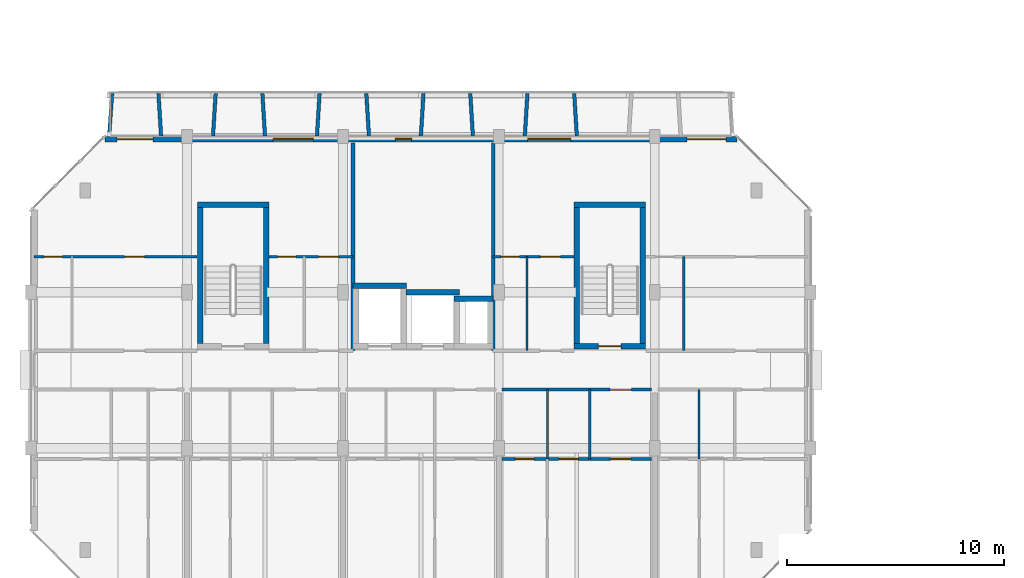
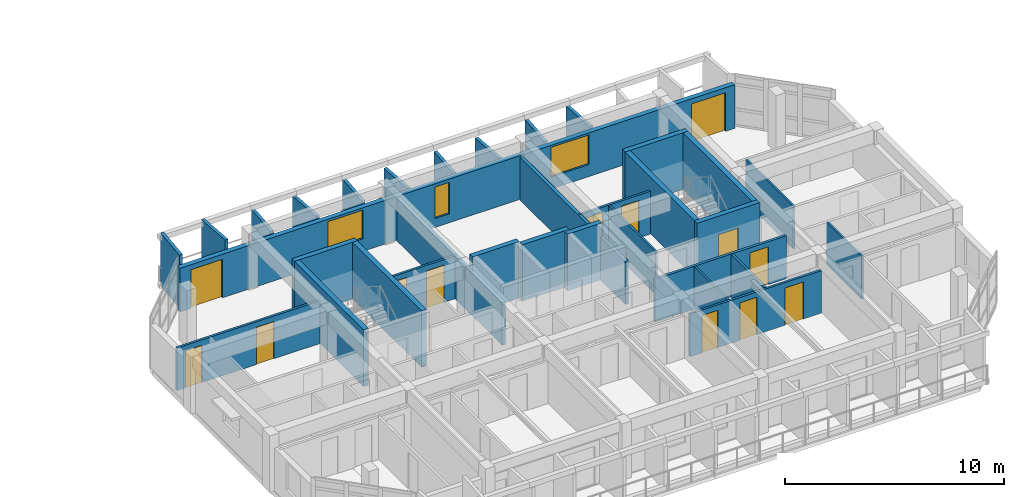
# One storey, part 24 of 51: 33 walls, 13 doors, 3 windows, 16 openings.
"""IFC4 building model written with IfcOpenShell, lengths in metres."""

from ifc_helpers import new_model, si_unit, direction, frame, frame_2d, origin, place, context, subcontext, project, spatial, rectangle, extrude, material, layer, layer_set, type_object, element, fill, save


model = new_model("IFC4")

# Units and contexts
model_context = context("Model", 3, precision=1e-05, world=origin(), true_north=direction((0.0, 1.0)))
body_context = subcontext(model_context, "Body", "Model", "MODEL_VIEW")
ifc_project = project(units=[si_unit("LENGTHUNIT", "METRE"), si_unit("AREAUNIT", "SQUARE_METRE"), si_unit("VOLUMEUNIT", "CUBIC_METRE"), si_unit("PLANEANGLEUNIT", "RADIAN"), si_unit("MASSUNIT", "GRAM", prefix="KILO")], contexts=[model_context])

# Site, building, storey
site_placement = place(None, origin())
site = spatial("IfcSite", under=ifc_project, at=site_placement, CompositionType="ELEMENT")
building_placement = place(site_placement, origin())
building = spatial("IfcBuilding", under=site, at=building_placement, Name="Ochrevale Crest", CompositionType="ELEMENT")
storey_placement = place(building_placement, frame((0.0, 0.0, 11.85009765625)))
storey = spatial("IfcBuildingStorey", under=building, at=storey_placement, Name="L03", CompositionType="ELEMENT", Elevation=11.85009765625)

# Wall, opening, door
ifc_material_1 = material(Name="Gypsum plasterboard", Category="gypsum")
ifc_layer_1 = layer(ifc_material_1, 0.139892578125)
ifc_layer_set_1 = layer_set([ifc_layer_1], Name="Gypsum plasterboard")
wall_type_1 = type_object("IfcWallType", Name="WL-COR-140", PredefinedType="PARTITIONING", material=ifc_layer_set_1)
wall_1_placement = place(storey_placement, frame((21.739990234375, 24.300048828125, 0.0), z_axis=(0.0, 0.0, 1.0), x_axis=(1.0, 0.0, 0.0)))
wall_1 = element("IfcWall", 1, at=wall_1_placement, inside=storey, type_object=wall_type_1, Name="Apartment A-L03-U4 corridor wall", PredefinedType="PARTITIONING", context=body_context, shape_type="SweptSolid", body=[
    extrude(rectangle(XDim=6.919921875, YDim=0.139892578125, at=frame_2d((3.4599609375, 0.0))), origin(), (0.0, 0.0, 1.0), 2.3798828125),
])
opening_1_placement = place(wall_1_placement, frame((4.9951171875, 0.0, 0.0)))
opening_1 = element("IfcOpeningElement", 2, at=opening_1_placement, cuts=wall_1, Name="Opening FD01", PredefinedType="OPENING", context=body_context, shape_type="SweptSolid", body=[
    extrude(rectangle(XDim=0.97998046875, YDim=2.10009765625, at=frame_2d((0.489990234375, 1.050048828125))), frame((0.0, 0.080078125, 0.0), z_axis=(0.0, -1.0, 0.0), x_axis=(1.0, 0.0, 0.0)), (0.0, 0.0, 1.0), 0.159912109375),
])
ifc_material_2 = material(Name="Solid-core FSC hardwood", Category="wood")
door_type_1 = type_object("IfcDoorType", Name="DR-APT-950", OperationType="NOTDEFINED", PredefinedType="DOOR", material=ifc_material_2)
door_1_placement = place(opening_1_placement, origin())
door_1 = element("IfcDoor", 3, at=door_1_placement, inside=storey, type_object=door_type_1, Name="Apartment A-L03-U4 entrance door", OperationType="SINGLE_SWING_LEFT", OverallHeight=2.10009765625, OverallWidth=0.97998046875, PredefinedType="DOOR", context=body_context, shape_type="SweptSolid", body=[
    extrude(rectangle(XDim=0.97998046875, YDim=2.10009765625, at=frame_2d((0.489990234375, 1.050048828125))), frame((0.0, 0.02490234375, 0.0), z_axis=(0.0, -1.0, 0.0), x_axis=(1.0, 0.0, 0.0)), (0.0, 0.0, 1.0), 0.050048828125),
])
fill(opening_1, door_1)

# Walls
ifc_material_3 = material(Name="Precast concrete C50/60", Category="concrete")
ifc_layer_2 = layer(ifc_material_3, 0.2548828125)
ifc_layer_set_2 = layer_set([ifc_layer_2], Name="Precast concrete C50/60")
wall_type_2 = type_object("IfcWallType", Name="WL-CORE-255", PredefinedType="SHEAR", material=ifc_layer_set_2)
wall_2_placement = place(storey_placement, frame((7.672607421875, 32.85009765625, 0.0), z_axis=(0.0, 0.0, 1.0), x_axis=(1.0, 0.0, 0.0)))
element("IfcWall", 4, at=wall_2_placement, inside=storey, type_object=wall_type_2, Name="Block A L03 Stair 1 precast core shear wall N", PredefinedType="SHEAR", context=body_context, shape_type="SweptSolid", body=[
    extrude(rectangle(XDim=3.304931640625, YDim=0.2548828125, at=frame_2d((1.65234375, 0.0))), origin(), (0.0, 0.0, 1.0), 3.14990234375),
])
for number, where, z_axis, x_axis, name in (
    (5, (7.800048828125, 26.427490234375, 0.0), (0.0, 0.0, 1.0), (0.0, 1.0, 0.0), "Block A L03 Stair 1 precast core shear wall W"),
    (6, (10.85009765625, 26.427490234375, 0.0), (0.0, 0.0, 1.0), (0.0, 1.0, 0.0), "Block A L03 Stair 1 precast core shear wall E"),
):
    element("IfcWall", number, at=place(storey_placement, frame(where, z_axis=z_axis, x_axis=x_axis)), inside=storey, type_object=wall_type_2, Name=name, PredefinedType="SHEAR", context=body_context, shape_type="SweptSolid", body=[
        extrude(rectangle(XDim=6.294921875, YDim=0.2548828125, at=frame_2d((3.1474609375, 0.0))), origin(), (0.0, 0.0, 1.0), 3.14990234375),
    ])

# Wall, opening, door
wall_3_placement = place(storey_placement, frame((25.072509765625, 26.300048828125, 0.0), z_axis=(0.0, 0.0, 1.0), x_axis=(1.0, 0.0, 0.0)))
wall_3 = element("IfcWall", 7, at=wall_3_placement, inside=storey, type_object=wall_type_2, Name="Block A L03 Stair 2 precast core shear wall S", PredefinedType="SHEAR", context=body_context, shape_type="SweptSolid", body=[
    extrude(rectangle(XDim=3.304931640625, YDim=0.2548828125, at=frame_2d((1.65234375, 0.0))), origin(), (0.0, 0.0, 1.0), 3.14990234375),
])
opening_2_placement = place(wall_3_placement, frame((1.12744140625, 0.0, 0.0)))
opening_2 = element("IfcOpeningElement", 8, at=opening_2_placement, cuts=wall_3, Name="Opening FD03", PredefinedType="OPENING", context=body_context, shape_type="SweptSolid", body=[
    extrude(rectangle(XDim=1.050048828125, YDim=2.1201171875, at=frame_2d((0.52490234375, 1.06005859375))), frame((0.0, 0.137451171875, 0.0), z_axis=(0.0, -1.0, 0.0), x_axis=(1.0, 0.0, 0.0)), (0.0, 0.0, 1.0), 0.27490234375),
])
door_type_2 = type_object("IfcDoorType", Name="DR-ST-1050", OperationType="NOTDEFINED", PredefinedType="DOOR", material=ifc_material_2)
door_2_placement = place(opening_2_placement, origin())
door_2 = element("IfcDoor", 9, at=door_2_placement, inside=storey, type_object=door_type_2, Name="Block A L03 fire stair 2 door", OperationType="SINGLE_SWING_LEFT", OverallHeight=2.1201171875, OverallWidth=1.050048828125, PredefinedType="DOOR", context=body_context, shape_type="SweptSolid", body=[
    extrude(rectangle(XDim=1.050048828125, YDim=2.1201171875, at=frame_2d((0.52490234375, 1.06005859375))), frame((0.0, 0.02490234375, 0.0), z_axis=(0.0, -1.0, 0.0), x_axis=(1.0, 0.0, 0.0)), (0.0, 0.0, 1.0), 0.050048828125),
])
fill(opening_2, door_2)

# Walls
wall_4_placement = place(storey_placement, frame((25.072509765625, 32.85009765625, 0.0), z_axis=(0.0, 0.0, 1.0), x_axis=(1.0, 0.0, 0.0)))
element("IfcWall", 10, at=wall_4_placement, inside=storey, type_object=wall_type_2, Name="Block A L03 Stair 2 precast core shear wall N", PredefinedType="SHEAR", context=body_context, shape_type="SweptSolid", body=[
    extrude(rectangle(XDim=3.304931640625, YDim=0.2548828125, at=frame_2d((1.65234375, 0.0))), origin(), (0.0, 0.0, 1.0), 3.14990234375),
])
for number, where, z_axis, x_axis, name in (
    (11, (25.199951171875, 26.427490234375, 0.0), (0.0, 0.0, 1.0), (0.0, 1.0, 0.0), "Block A L03 Stair 2 precast core shear wall W"),
    (12, (28.25, 26.427490234375, 0.0), (0.0, 0.0, 1.0), (0.0, 1.0, 0.0), "Block A L03 Stair 2 precast core shear wall E"),
):
    element("IfcWall", number, at=place(storey_placement, frame(where, z_axis=z_axis, x_axis=x_axis)), inside=storey, type_object=wall_type_2, Name=name, PredefinedType="SHEAR", context=body_context, shape_type="SweptSolid", body=[
        extrude(rectangle(XDim=6.294921875, YDim=0.2548828125, at=frame_2d((3.1474609375, 0.0))), origin(), (0.0, 0.0, 1.0), 3.14990234375),
    ])
wall_5_placement = place(storey_placement, frame((14.87255859375, 29.10009765625, 0.0), z_axis=(0.0, 0.0, 1.0), x_axis=(1.0, 0.0, 0.0)))
element("IfcWall", 13, at=wall_5_placement, inside=storey, type_object=wall_type_2, Name="Block A L03 Lift 1 precast shaft shear wall N", PredefinedType="SHEAR", context=body_context, shape_type="SweptSolid", body=[
    extrude(rectangle(XDim=2.454833984375, YDim=0.2548828125, at=frame_2d((1.2275390625, 0.0))), origin(), (0.0, 0.0, 1.0), 3.14990234375),
])
wall_6_placement = place(storey_placement, frame((17.322509765625, 28.800048828125, 0.0), z_axis=(0.0, 0.0, 1.0), x_axis=(1.0, 0.0, 0.0)))
element("IfcWall", 14, at=wall_6_placement, inside=storey, type_object=wall_type_2, Name="Block A L03 Lift 2 precast shaft shear wall N", PredefinedType="SHEAR", context=body_context, shape_type="SweptSolid", body=[
    extrude(rectangle(XDim=2.455078125, YDim=0.2548828125, at=frame_2d((1.2275390625, 0.0))), origin(), (0.0, 0.0, 1.0), 3.14990234375),
])
wall_7_placement = place(storey_placement, frame((19.5224609375, 28.5, 0.0), z_axis=(0.0, 0.0, 1.0), x_axis=(1.0, 0.0, 0.0)))
element("IfcWall", 15, at=wall_7_placement, inside=storey, type_object=wall_type_2, Name="Block A L03 services riser shaft core wall N", PredefinedType="SHEAR", context=body_context, shape_type="SweptSolid", body=[
    extrude(rectangle(XDim=1.804931640625, YDim=0.2548828125, at=frame_2d((0.90234375, 0.0))), origin(), (0.0, 0.0, 1.0), 3.14990234375),
])

# Wall, openings, doors, windows
ifc_material_4 = material(Name="Precast concrete C40/50", Category="concrete")
ifc_layer_3 = layer(ifc_material_4, 0.25)
ifc_layer_set_3 = layer_set([ifc_layer_3], Name="Precast concrete C40/50")
wall_type_3 = type_object("IfcWallType", Name="WL-EXT-GOLD-250", PredefinedType="SOLIDWALL", material=ifc_layer_set_3)
wall_8_placement = place(storey_placement, frame((32.60009765625, 35.875, 0.0), z_axis=(0.0, 0.0, 1.0), x_axis=(-1.0, 0.0, 0.0)))
wall_8 = element("IfcWall", 16, at=wall_8_placement, inside=storey, type_object=wall_type_3, Name="Block A L03 external facade wall E5", PredefinedType="SOLIDWALL", context=body_context, shape_type="SweptSolid", body=[
    extrude(rectangle(XDim=29.2001953125, YDim=0.25, at=frame_2d((14.60009765625, 0.0))), origin(), (0.0, 0.0, 1.0), 2.429931640625),
])
opening_3_placement = place(wall_8_placement, frame((28.625, 0.0, 0.0), z_axis=(0.0, 0.0, 1.0), x_axis=(-1.0, 0.0, 0.0)))
opening_3 = element("IfcOpeningElement", 17, at=opening_3_placement, cuts=wall_8, Name="Opening BD02", PredefinedType="OPENING", context=body_context, shape_type="SweptSolid", body=[
    extrude(rectangle(XDim=1.64990234375, YDim=2.14990234375, at=frame_2d((0.824951171875, 1.074951171875))), frame((0.0, 0.135009765625, 0.0), z_axis=(0.0, -1.0, 0.0), x_axis=(1.0, 0.0, 0.0)), (0.0, 0.0, 1.0), 0.27001953125),
])
opening_4_placement = place(wall_8_placement, frame((2.300048828125, 0.0, 0.0), z_axis=(0.0, 0.0, 1.0), x_axis=(-1.0, 0.0, 0.0)))
opening_4 = element("IfcOpeningElement", 18, at=opening_4_placement, cuts=wall_8, Name="Opening BD03", PredefinedType="OPENING", context=body_context, shape_type="SweptSolid", body=[
    extrude(rectangle(XDim=1.800048828125, YDim=2.14990234375, at=frame_2d((0.89990234375, 1.074951171875))), frame((0.0, 0.135009765625, 0.0), z_axis=(0.0, -1.0, 0.0), x_axis=(1.0, 0.0, 0.0)), (0.0, 0.0, 1.0), 0.27001953125),
])
opening_5_placement = place(wall_8_placement, frame((15.030029296875, 0.0, 0.5)))
opening_5 = element("IfcOpeningElement", 19, at=opening_5_placement, cuts=wall_8, Name="Opening W16", PredefinedType="OPENING", context=body_context, shape_type="SweptSolid", body=[
    extrude(rectangle(XDim=0.75, YDim=1.75, at=frame_2d((0.375, 0.875))), frame((0.0, 0.135009765625, 0.0), z_axis=(0.0, -1.0, 0.0), x_axis=(1.0, 0.0, 0.0)), (0.0, 0.0, 1.0), 0.27001953125),
])
opening_6_placement = place(wall_8_placement, frame((7.675048828125, 0.0, 0.669921875)))
opening_6 = element("IfcOpeningElement", 20, at=opening_6_placement, cuts=wall_8, Name="Opening W12", PredefinedType="OPENING", context=body_context, shape_type="SweptSolid", body=[
    extrude(rectangle(XDim=2.0, YDim=1.64990234375, at=frame_2d((1.0, 0.824951171875))), frame((0.0, 0.135009765625, 0.0), z_axis=(0.0, -1.0, 0.0), x_axis=(1.0, 0.0, 0.0)), (0.0, 0.0, 1.0), 0.27001953125),
])
opening_7_placement = place(wall_8_placement, frame((19.570068359375, 0.0, 0.699951171875)))
opening_7 = element("IfcOpeningElement", 21, at=opening_7_placement, cuts=wall_8, Name="Opening W11", PredefinedType="OPENING", context=body_context, shape_type="SweptSolid", body=[
    extrude(rectangle(XDim=1.860107421875, YDim=1.60009765625, at=frame_2d((0.93017578125, 0.800048828125))), frame((0.0, 0.135009765625, 0.0), z_axis=(0.0, -1.0, 0.0), x_axis=(1.0, 0.0, 0.0)), (0.0, 0.0, 1.0), 0.27001953125),
])
ifc_material_5 = material(Name="Anodised aluminium 6063-T5 and toughened glass", Category="aluminium")
door_type_3 = type_object("IfcDoorType", Name="DR-BAL-1650", OperationType="NOTDEFINED", PredefinedType="DOOR", material=ifc_material_5)
door_3_placement = place(opening_3_placement, origin())
door_3 = element("IfcDoor", 22, at=door_3_placement, inside=storey, type_object=door_type_3, Name="Block A L03 balcony door N1", OperationType="SINGLE_SWING_LEFT", OverallHeight=2.14990234375, OverallWidth=1.64990234375, PredefinedType="DOOR", context=body_context, shape_type="SweptSolid", body=[
    extrude(rectangle(XDim=1.64990234375, YDim=2.14990234375, at=frame_2d((0.824951171875, 1.074951171875))), frame((0.0, 0.02490234375, 0.0), z_axis=(0.0, -1.0, 0.0), x_axis=(1.0, 0.0, 0.0)), (0.0, 0.0, 1.0), 0.050048828125),
])
fill(opening_3, door_3)
door_type_4 = type_object("IfcDoorType", Name="DR-BAL-1800", OperationType="NOTDEFINED", PredefinedType="DOOR", material=ifc_material_5)
door_4_placement = place(opening_4_placement, origin())
door_4 = element("IfcDoor", 23, at=door_4_placement, inside=storey, type_object=door_type_4, Name="Block A L03 balcony door N5", OperationType="SINGLE_SWING_RIGHT", OverallHeight=2.14990234375, OverallWidth=1.800048828125, PredefinedType="DOOR", context=body_context, shape_type="SweptSolid", body=[
    extrude(rectangle(XDim=1.800048828125, YDim=2.14990234375, at=frame_2d((0.89990234375, 1.074951171875))), frame((0.0, 0.02490234375, 0.0), z_axis=(0.0, -1.0, 0.0), x_axis=(1.0, 0.0, 0.0)), (0.0, 0.0, 1.0), 0.050048828125),
])
fill(opening_4, door_4)
ifc_material_6 = material(Name="Anodised aluminium 6063-T5 and low-E double glazing", Category="aluminium")
window_type_1 = type_object("IfcWindowType", Name="WIN-W11", PartitioningType="SINGLE_PANEL", PredefinedType="WINDOW", material=ifc_material_6)
window_1_placement = place(opening_7_placement, origin())
window_1 = element("IfcWindow", 24, at=window_1_placement, inside=storey, type_object=window_type_1, Name="Block A L03 Suite A-L03-MW Courtyard Studio Living window", OverallHeight=1.60009765625, OverallWidth=1.860107421875, PartitioningType="SINGLE_PANEL", PredefinedType="WINDOW", context=body_context, shape_type="SweptSolid", body=[
    extrude(rectangle(XDim=1.860107421875, YDim=1.60009765625, at=frame_2d((0.93017578125, 0.800048828125))), frame((0.0, 0.030029296875, 0.0), z_axis=(0.0, -1.0, 0.0), x_axis=(1.0, 0.0, 0.0)), (0.0, 0.0, 1.0), 0.06005859375),
])
fill(opening_7, window_1)
window_type_2 = type_object("IfcWindowType", Name="WIN-W12", PartitioningType="SINGLE_PANEL", PredefinedType="WINDOW", material=ifc_material_6)
window_2_placement = place(opening_6_placement, origin())
window_2 = element("IfcWindow", 25, at=window_2_placement, inside=storey, type_object=window_type_2, Name="Block A L03 Suite A-L03-ME Garden Alcove Studio window", OverallHeight=1.64990234375, OverallWidth=2.0, PartitioningType="SINGLE_PANEL", PredefinedType="WINDOW", context=body_context, shape_type="SweptSolid", body=[
    extrude(rectangle(XDim=2.0, YDim=1.64990234375, at=frame_2d((1.0, 0.824951171875))), frame((0.0, 0.030029296875, 0.0), z_axis=(0.0, -1.0, 0.0), x_axis=(1.0, 0.0, 0.0)), (0.0, 0.0, 1.0), 0.06005859375),
])
fill(opening_6, window_2)
window_type_3 = type_object("IfcWindowType", Name="WIN-W16", PartitioningType="SINGLE_PANEL", PredefinedType="WINDOW", material=ifc_material_6)
window_3_placement = place(opening_5_placement, origin())
window_3 = element("IfcWindow", 26, at=window_3_placement, inside=storey, type_object=window_type_3, Name="Block A L03 core lancet window", OverallHeight=1.75, OverallWidth=0.75, PartitioningType="SINGLE_PANEL", PredefinedType="WINDOW", context=body_context, shape_type="SweptSolid", body=[
    extrude(rectangle(XDim=0.75, YDim=1.75, at=frame_2d((0.375, 0.875))), frame((0.0, 0.030029296875, 0.0), z_axis=(0.0, -1.0, 0.0), x_axis=(1.0, 0.0, 0.0)), (0.0, 0.0, 1.0), 0.06005859375),
])
fill(opening_5, window_3)

# Walls
ifc_layer_4 = layer(ifc_material_4, 0.1650390625)
ifc_layer_set_4 = layer_set([ifc_layer_4], Name="Precast concrete C40/50")
wall_type_4 = type_object("IfcWallType", Name="WL-HC-CHEEK-165", PredefinedType="ELEMENTEDWALL", material=ifc_layer_set_4)
wall_9_placement = place(storey_placement, frame((3.60009765625, 36.02001953125, 0.0), z_axis=(0.0, 0.0, 1.0), x_axis=(0.071194071069, 0.997462482625, 0.0)))
element("IfcWall", 27, at=wall_9_placement, inside=storey, type_object=wall_type_4, Name="Block A L03 N precast honeycomb cheek 1", PredefinedType="ELEMENTEDWALL", context=body_context, shape_type="SweptSolid", body=[
    extrude(rectangle(XDim=1.96484375, YDim=0.1650390625, at=frame_2d((0.982421875, 0.0))), origin(), (0.0, 0.0, 1.0), 2.949951171875),
])
wall_10_placement = place(storey_placement, frame((6.0, 36.02001953125, 0.0), z_axis=(0.0, 0.0, 1.0), x_axis=(-0.061170732449, 0.998127317276, 0.0)))
element("IfcWall", 28, at=wall_10_placement, inside=storey, type_object=wall_type_4, Name="Block A L03 N precast honeycomb cheek 2", PredefinedType="ELEMENTEDWALL", context=body_context, shape_type="SweptSolid", body=[
    extrude(rectangle(XDim=1.963623046875, YDim=0.1650390625, at=frame_2d((0.98193359375, 0.0))), origin(), (0.0, 0.0, 1.0), 2.949951171875),
])
for number, where, z_axis, x_axis, name in (
    (29, (8.39990234375, 36.02001953125, 0.0), (0.0, 0.0, 1.0), (0.061170732449, 0.998127317276, 0.0), "Block A L03 N precast honeycomb cheek 3"),
    (30, (10.800048828125, 36.02001953125, 0.0), (0.0, 0.0, 1.0), (-0.061170732449, 0.998127317276, 0.0), "Block A L03 N precast honeycomb cheek 4"),
    (31, (13.199951171875, 36.02001953125, 0.0), (0.0, 0.0, 1.0), (0.061170732449, 0.998127317276, 0.0), "Block A L03 N precast honeycomb cheek 5"),
):
    element("IfcWall", number, at=place(storey_placement, frame(where, z_axis=z_axis, x_axis=x_axis)), inside=storey, type_object=wall_type_4, Name=name, PredefinedType="ELEMENTEDWALL", context=body_context, shape_type="SweptSolid", body=[
        extrude(rectangle(XDim=1.963623046875, YDim=0.1650390625, at=frame_2d((0.98193359375, 0.0))), origin(), (0.0, 0.0, 1.0), 2.579833984375),
    ])
for number, where, z_axis, x_axis, name in (
    (32, (15.60009765625, 36.02001953125, 0.0), (0.0, 0.0, 1.0), (-0.061170732449, 0.998127317276, 0.0), "Block A L03 N precast honeycomb cheek 6"),
    (33, (18.0, 36.02001953125, 0.0), (0.0, 0.0, 1.0), (0.061170732449, 0.998127317276, 0.0), "Block A L03 N precast honeycomb cheek 7"),
    (34, (20.39990234375, 36.02001953125, 0.0), (0.0, 0.0, 1.0), (-0.061046865508, 0.998134900808, 0.0), "Block A L03 N precast honeycomb cheek 8"),
):
    element("IfcWall", number, at=place(storey_placement, frame(where, z_axis=z_axis, x_axis=x_axis)), inside=storey, type_object=wall_type_4, Name=name, PredefinedType="ELEMENTEDWALL", context=body_context, shape_type="SweptSolid", body=[
        extrude(rectangle(XDim=1.963623046875, YDim=0.1650390625, at=frame_2d((0.98193359375, 0.0))), origin(), (0.0, 0.0, 1.0), 2.449951171875),
    ])
for number, where, z_axis, x_axis, name in (
    (35, (22.800048828125, 36.02001953125, 0.0), (0.0, 0.0, 1.0), (0.061046865508, 0.998134900808, 0.0), "Block A L03 N precast honeycomb cheek 9"),
    (36, (25.199951171875, 36.02001953125, 0.0), (0.0, 0.0, 1.0), (-0.061046865508, 0.998134900808, 0.0), "Block A L03 N precast honeycomb cheek 10"),
):
    element("IfcWall", number, at=place(storey_placement, frame(where, z_axis=z_axis, x_axis=x_axis)), inside=storey, type_object=wall_type_4, Name=name, PredefinedType="ELEMENTEDWALL", context=body_context, shape_type="SweptSolid", body=[
        extrude(rectangle(XDim=1.963623046875, YDim=0.1650390625, at=frame_2d((0.98193359375, 0.0))), origin(), (0.0, 0.0, 1.0), 2.52978515625),
    ])
ifc_layer_5 = layer(ifc_material_1, 0.1201171875)
ifc_layer_set_5 = layer_set([ifc_layer_5], Name="Gypsum plasterboard")
wall_type_5 = type_object("IfcWallType", Name="WL-PART-120", PredefinedType="PARTITIONING", material=ifc_layer_set_5)
wall_11_placement = place(storey_placement, frame((25.7900390625, 21.10009765625, 0.0), z_axis=(0.0, 0.0, 1.0), x_axis=(0.0, 1.0, 0.0)))
element("IfcWall", 37, at=wall_11_placement, inside=storey, type_object=wall_type_5, Name="Apartment A-L03-U4 kitchen-foyer wall", PredefinedType="PARTITIONING", context=body_context, shape_type="SweptSolid", body=[
    extrude(rectangle(XDim=3.199951171875, YDim=0.1201171875, at=frame_2d((1.60009765625, 0.0))), origin(), (0.0, 0.0, 1.0), 2.375),
])

# Wall, openings, doors
wall_12_placement = place(storey_placement, frame((21.739990234375, 21.10009765625, 0.0), z_axis=(0.0, 0.0, 1.0), x_axis=(1.0, 0.0, 0.0)))
wall_12 = element("IfcWall", 38, at=wall_12_placement, inside=storey, type_object=wall_type_5, Name="Apartment A-L03-U4 central partition", PredefinedType="PARTITIONING", context=body_context, shape_type="SweptSolid", body=[
    extrude(rectangle(XDim=6.919921875, YDim=0.1201171875, at=frame_2d((3.4599609375, 0.0))), origin(), (0.0, 0.0, 1.0), 2.3798828125),
])
opening_8_placement = place(wall_12_placement, frame((1.47509765625, 0.0, 0.0), z_axis=(0.0, 0.0, 1.0), x_axis=(-1.0, 0.0, 0.0)))
opening_8 = element("IfcOpeningElement", 39, at=opening_8_placement, cuts=wall_12, Name="Opening ID01", PredefinedType="OPENING", context=body_context, shape_type="SweptSolid", body=[
    extrude(rectangle(XDim=0.85009765625, YDim=2.080078125, at=frame_2d((0.425048828125, 1.0400390625))), frame((0.0, 0.070068359375, 0.0), z_axis=(0.0, -1.0, 0.0), x_axis=(1.0, 0.0, 0.0)), (0.0, 0.0, 1.0), 0.14013671875),
])
opening_9_placement = place(wall_12_placement, frame((2.625, 0.0, 0.0)))
opening_9 = element("IfcOpeningElement", 40, at=opening_9_placement, cuts=wall_12, Name="Opening ID02", PredefinedType="OPENING", context=body_context, shape_type="SweptSolid", body=[
    extrude(rectangle(XDim=0.89990234375, YDim=2.080078125, at=frame_2d((0.449951171875, 1.0400390625))), frame((0.0, 0.070068359375, 0.0), z_axis=(0.0, -1.0, 0.0), x_axis=(1.0, 0.0, 0.0)), (0.0, 0.0, 1.0), 0.14013671875),
])
opening_10_placement = place(wall_12_placement, frame((5.9599609375, 0.0, 0.0), z_axis=(0.0, 0.0, 1.0), x_axis=(-1.0, 0.0, 0.0)))
opening_10 = element("IfcOpeningElement", 41, at=opening_10_placement, cuts=wall_12, Name="Opening ID06", PredefinedType="OPENING", context=body_context, shape_type="SweptSolid", body=[
    extrude(rectangle(XDim=0.949951171875, YDim=2.080078125, at=frame_2d((0.47509765625, 1.0400390625))), frame((0.0, 0.070068359375, 0.0), z_axis=(0.0, -1.0, 0.0), x_axis=(1.0, 0.0, 0.0)), (0.0, 0.0, 1.0), 0.14013671875),
])
door_type_5 = type_object("IfcDoorType", Name="DR-INT-900", OperationType="NOTDEFINED", PredefinedType="DOOR", material=ifc_material_2)
door_5_placement = place(opening_9_placement, origin())
door_5 = element("IfcDoor", 42, at=door_5_placement, inside=storey, type_object=door_type_5, Name="Apartment A-L03-U4 Kitchen door", OperationType="SINGLE_SWING_LEFT", OverallHeight=2.080078125, OverallWidth=0.89990234375, PredefinedType="DOOR", context=body_context, shape_type="SweptSolid", body=[
    extrude(rectangle(XDim=0.89990234375, YDim=2.080078125, at=frame_2d((0.449951171875, 1.0400390625))), frame((0.0, 0.02490234375, 0.0), z_axis=(0.0, -1.0, 0.0), x_axis=(1.0, 0.0, 0.0)), (0.0, 0.0, 1.0), 0.050048828125),
])
fill(opening_9, door_5)
door_type_6 = type_object("IfcDoorType", Name="DR-INT-950", OperationType="NOTDEFINED", PredefinedType="DOOR", material=ifc_material_2)
door_6_placement = place(opening_10_placement, origin())
door_6 = element("IfcDoor", 43, at=door_6_placement, inside=storey, type_object=door_type_6, Name="Apartment A-L03-U4 Living Foyer door", OperationType="SINGLE_SWING_RIGHT", OverallHeight=2.080078125, OverallWidth=0.949951171875, PredefinedType="DOOR", context=body_context, shape_type="SweptSolid", body=[
    extrude(rectangle(XDim=0.949951171875, YDim=2.080078125, at=frame_2d((0.47509765625, 1.0400390625))), frame((0.0, 0.02490234375, 0.0), z_axis=(0.0, -1.0, 0.0), x_axis=(1.0, 0.0, 0.0)), (0.0, 0.0, 1.0), 0.050048828125),
])
fill(opening_10, door_6)
door_type_7 = type_object("IfcDoorType", Name="DR-WC-850", OperationType="NOTDEFINED", PredefinedType="DOOR", material=ifc_material_2)
door_7_placement = place(opening_8_placement, origin())
door_7 = element("IfcDoor", 44, at=door_7_placement, inside=storey, type_object=door_type_7, Name="Apartment A-L03-U4 Bathroom door", OperationType="SINGLE_SWING_RIGHT", OverallHeight=2.080078125, OverallWidth=0.85009765625, PredefinedType="DOOR", context=body_context, shape_type="SweptSolid", body=[
    extrude(rectangle(XDim=0.85009765625, YDim=2.080078125, at=frame_2d((0.425048828125, 1.0400390625))), frame((0.0, 0.02490234375, 0.0), z_axis=(0.0, -1.0, 0.0), x_axis=(1.0, 0.0, 0.0)), (0.0, 0.0, 1.0), 0.050048828125),
])
fill(opening_8, door_7)

wall_13_placement = place(storey_placement, frame((0.139892578125, 30.449951171875, 0.0), z_axis=(0.0, 0.0, 1.0), x_axis=(1.0, 0.0, 0.0)))
wall_13 = element("IfcWall", 45, at=wall_13_placement, inside=storey, type_object=wall_type_5, Name="Suite A-L03-CW internal wall", PredefinedType="PARTITIONING", context=body_context, shape_type="SweptSolid", body=[
    extrude(rectangle(XDim=7.52001953125, YDim=0.1201171875, at=frame_2d((3.760009765625, 0.0))), origin(), (0.0, 0.0, 1.0), 2.3798828125),
])
opening_11_placement = place(wall_13_placement, frame((1.300048828125, 0.0, 0.0), z_axis=(0.0, 0.0, 1.0), x_axis=(-1.0, 0.0, 0.0)))
opening_11 = element("IfcOpeningElement", 46, at=opening_11_placement, cuts=wall_13, Name="Opening ID01", PredefinedType="OPENING", context=body_context, shape_type="SweptSolid", body=[
    extrude(rectangle(XDim=0.85009765625, YDim=2.080078125, at=frame_2d((0.425048828125, 1.0400390625))), frame((0.0, 0.070068359375, 0.0), z_axis=(0.0, -1.0, 0.0), x_axis=(1.0, 0.0, 0.0)), (0.0, 0.0, 1.0), 0.14013671875),
])
opening_12_placement = place(wall_13_placement, frame((4.175048828125, 0.0, 0.0)))
opening_12 = element("IfcOpeningElement", 47, at=opening_12_placement, cuts=wall_13, Name="Opening ID04", PredefinedType="OPENING", context=body_context, shape_type="SweptSolid", body=[
    extrude(rectangle(XDim=0.919921875, YDim=2.080078125, at=frame_2d((0.4599609375, 1.0400390625))), frame((0.0, 0.070068359375, 0.0), z_axis=(0.0, -1.0, 0.0), x_axis=(1.0, 0.0, 0.0)), (0.0, 0.0, 1.0), 0.14013671875),
])
door_type_8 = type_object("IfcDoorType", Name="DR-INT-920", OperationType="NOTDEFINED", PredefinedType="DOOR", material=ifc_material_2)
door_8_placement = place(opening_12_placement, origin())
door_8 = element("IfcDoor", 48, at=door_8_placement, inside=storey, type_object=door_type_8, Name="Suite A-L03-CW Quiet Reading Room door", OperationType="SINGLE_SWING_LEFT", OverallHeight=2.080078125, OverallWidth=0.919921875, PredefinedType="DOOR", context=body_context, shape_type="SweptSolid", body=[
    extrude(rectangle(XDim=0.919921875, YDim=2.080078125, at=frame_2d((0.4599609375, 1.0400390625))), frame((0.0, 0.02490234375, 0.0), z_axis=(0.0, -1.0, 0.0), x_axis=(1.0, 0.0, 0.0)), (0.0, 0.0, 1.0), 0.050048828125),
])
fill(opening_12, door_8)
door_9_placement = place(opening_11_placement, origin())
door_9 = element("IfcDoor", 49, at=door_9_placement, inside=storey, type_object=door_type_7, Name="Suite A-L03-CW Bathroom door", OperationType="SINGLE_SWING_RIGHT", OverallHeight=2.080078125, OverallWidth=0.85009765625, PredefinedType="DOOR", context=body_context, shape_type="SweptSolid", body=[
    extrude(rectangle(XDim=0.85009765625, YDim=2.080078125, at=frame_2d((0.425048828125, 1.0400390625))), frame((0.0, 0.02490234375, 0.0), z_axis=(0.0, -1.0, 0.0), x_axis=(1.0, 0.0, 0.0)), (0.0, 0.0, 1.0), 0.050048828125),
])
fill(opening_11, door_9)

wall_14_placement = place(storey_placement, frame((10.989990234375, 30.449951171875, 0.0), z_axis=(0.0, 0.0, 1.0), x_axis=(1.0, 0.0, 0.0)))
wall_14 = element("IfcWall", 50, at=wall_14_placement, inside=storey, type_object=wall_type_5, Name="Suite A-L03-MW internal wall", PredefinedType="PARTITIONING", context=body_context, shape_type="SweptSolid", body=[
    extrude(rectangle(XDim=3.8701171875, YDim=0.1201171875, at=frame_2d((1.93505859375, 0.0))), origin(), (0.0, 0.0, 1.0), 2.3798828125),
])
opening_13_placement = place(wall_14_placement, frame((0.3876953125, 0.0, 0.0)))
opening_13 = element("IfcOpeningElement", 51, at=opening_13_placement, cuts=wall_14, Name="Opening ID01", PredefinedType="OPENING", context=body_context, shape_type="SweptSolid", body=[
    extrude(rectangle(XDim=0.85009765625, YDim=2.080078125, at=frame_2d((0.425048828125, 1.0400390625))), frame((0.0, 0.070068359375, 0.0), z_axis=(0.0, -1.0, 0.0), x_axis=(1.0, 0.0, 0.0)), (0.0, 0.0, 1.0), 0.14013671875),
])
opening_14_placement = place(wall_14_placement, frame((3.20751953125, 0.0, 0.0), z_axis=(0.0, 0.0, 1.0), x_axis=(-1.0, 0.0, 0.0)))
opening_14 = element("IfcOpeningElement", 52, at=opening_14_placement, cuts=wall_14, Name="Opening ID04", PredefinedType="OPENING", context=body_context, shape_type="SweptSolid", body=[
    extrude(rectangle(XDim=0.919921875, YDim=2.080078125, at=frame_2d((0.4599609375, 1.0400390625))), frame((0.0, 0.070068359375, 0.0), z_axis=(0.0, -1.0, 0.0), x_axis=(1.0, 0.0, 0.0)), (0.0, 0.0, 1.0), 0.14013671875),
])
door_10_placement = place(opening_14_placement, origin())
door_10 = element("IfcDoor", 53, at=door_10_placement, inside=storey, type_object=door_type_8, Name="Suite A-L03-MW Courtyard Studio Living door", OperationType="SINGLE_SWING_RIGHT", OverallHeight=2.080078125, OverallWidth=0.919921875, PredefinedType="DOOR", context=body_context, shape_type="SweptSolid", body=[
    extrude(rectangle(XDim=0.919921875, YDim=2.080078125, at=frame_2d((0.4599609375, 1.0400390625))), frame((0.0, 0.02490234375, 0.0), z_axis=(0.0, -1.0, 0.0), x_axis=(1.0, 0.0, 0.0)), (0.0, 0.0, 1.0), 0.050048828125),
])
fill(opening_14, door_10)
door_11_placement = place(opening_13_placement, origin())
door_11 = element("IfcDoor", 54, at=door_11_placement, inside=storey, type_object=door_type_7, Name="Suite A-L03-MW Bathroom door", OperationType="SINGLE_SWING_LEFT", OverallHeight=2.080078125, OverallWidth=0.85009765625, PredefinedType="DOOR", context=body_context, shape_type="SweptSolid", body=[
    extrude(rectangle(XDim=0.85009765625, YDim=2.080078125, at=frame_2d((0.425048828125, 1.0400390625))), frame((0.0, 0.02490234375, 0.0), z_axis=(0.0, -1.0, 0.0), x_axis=(1.0, 0.0, 0.0)), (0.0, 0.0, 1.0), 0.050048828125),
])
fill(opening_13, door_11)

wall_15_placement = place(storey_placement, frame((21.340087890625, 30.449951171875, 0.0), z_axis=(0.0, 0.0, 1.0), x_axis=(1.0, 0.0, 0.0)))
wall_15 = element("IfcWall", 55, at=wall_15_placement, inside=storey, type_object=wall_type_5, Name="Suite A-L03-ME internal wall", PredefinedType="PARTITIONING", context=body_context, shape_type="SweptSolid", body=[
    extrude(rectangle(XDim=3.719970703125, YDim=0.1201171875, at=frame_2d((1.85986328125, 0.0))), origin(), (0.0, 0.0, 1.0), 2.3798828125),
])
opening_15_placement = place(wall_15_placement, frame((1.206298828125, 0.0, 0.0), z_axis=(0.0, 0.0, 1.0), x_axis=(-1.0, 0.0, 0.0)))
opening_15 = element("IfcOpeningElement", 56, at=opening_15_placement, cuts=wall_15, Name="Opening ID01", PredefinedType="OPENING", context=body_context, shape_type="SweptSolid", body=[
    extrude(rectangle(XDim=0.85009765625, YDim=2.080078125, at=frame_2d((0.425048828125, 1.0400390625))), frame((0.0, 0.070068359375, 0.0), z_axis=(0.0, -1.0, 0.0), x_axis=(1.0, 0.0, 0.0)), (0.0, 0.0, 1.0), 0.14013671875),
])
opening_16_placement = place(wall_15_placement, frame((2.18115234375, 0.0, 0.0)))
opening_16 = element("IfcOpeningElement", 57, at=opening_16_placement, cuts=wall_15, Name="Opening ID04", PredefinedType="OPENING", context=body_context, shape_type="SweptSolid", body=[
    extrude(rectangle(XDim=0.919921875, YDim=2.080078125, at=frame_2d((0.4599609375, 1.0400390625))), frame((0.0, 0.070068359375, 0.0), z_axis=(0.0, -1.0, 0.0), x_axis=(1.0, 0.0, 0.0)), (0.0, 0.0, 1.0), 0.14013671875),
])
door_12_placement = place(opening_16_placement, origin())
door_12 = element("IfcDoor", 58, at=door_12_placement, inside=storey, type_object=door_type_8, Name="Suite A-L03-ME Garden Alcove Studio door", OperationType="SINGLE_SWING_LEFT", OverallHeight=2.080078125, OverallWidth=0.919921875, PredefinedType="DOOR", context=body_context, shape_type="SweptSolid", body=[
    extrude(rectangle(XDim=0.919921875, YDim=2.080078125, at=frame_2d((0.4599609375, 1.0400390625))), frame((0.0, 0.02490234375, 0.0), z_axis=(0.0, -1.0, 0.0), x_axis=(1.0, 0.0, 0.0)), (0.0, 0.0, 1.0), 0.050048828125),
])
fill(opening_16, door_12)
door_13_placement = place(opening_15_placement, origin())
door_13 = element("IfcDoor", 59, at=door_13_placement, inside=storey, type_object=door_type_7, Name="Suite A-L03-ME Bathroom door", OperationType="SINGLE_SWING_RIGHT", OverallHeight=2.080078125, OverallWidth=0.85009765625, PredefinedType="DOOR", context=body_context, shape_type="SweptSolid", body=[
    extrude(rectangle(XDim=0.85009765625, YDim=2.080078125, at=frame_2d((0.425048828125, 1.0400390625))), frame((0.0, 0.02490234375, 0.0), z_axis=(0.0, -1.0, 0.0), x_axis=(1.0, 0.0, 0.0)), (0.0, 0.0, 1.0), 0.050048828125),
])
fill(opening_15, door_13)

# Walls
ifc_layer_6 = layer(ifc_material_1, 0.169921875)
ifc_layer_set_6 = layer_set([ifc_layer_6], Name="Gypsum plasterboard")
wall_type_6 = type_object("IfcWallType", Name="WL-TEN-170", PredefinedType="PARTITIONING", material=ifc_layer_set_6)
for number, where, z_axis, x_axis, name in (
    (60, (14.860107421875, 26.10009765625, 0.0), (0.0, 0.0, 1.0), (0.0, 1.0, 0.0), "Suite A-L03-MW east party wall"),
    (61, (21.340087890625, 26.10009765625, 0.0), (0.0, 0.0, 1.0), (0.0, 1.0, 0.0), "Suite A-L03-ME west party wall"),
):
    element("IfcWall", number, at=place(storey_placement, frame(where, z_axis=z_axis, x_axis=x_axis)), inside=storey, type_object=wall_type_6, Name=name, PredefinedType="PARTITIONING", context=body_context, shape_type="SweptSolid", body=[
        extrude(rectangle(XDim=9.599853515625, YDim=0.169921875, at=frame_2d((4.7998046875, 0.0))), origin(), (0.0, 0.0, 1.0), 2.3798828125),
    ])
ifc_layer_7 = layer(ifc_material_1, 0.10009765625)
ifc_layer_set_7 = layer_set([ifc_layer_7], Name="Gypsum plasterboard")
wall_type_7 = type_object("IfcWallType", Name="WL-WET-100", PredefinedType="PARTITIONING", material=ifc_layer_set_7)
for number, where, z_axis, x_axis, name in (
    (62, (23.840087890625, 21.10009765625, 0.0), (0.0, 0.0, 1.0), (0.0, 1.0, 0.0), "Apartment A-L03-U4 bath-kitchen wall"),
    (63, (30.85009765625, 21.10009765625, 0.0), (0.0, 0.0, 1.0), (0.0, 1.0, 0.0), "Apartment A-L03-U5 bath-kitchen wall"),
):
    element("IfcWall", number, at=place(storey_placement, frame(where, z_axis=z_axis, x_axis=x_axis)), inside=storey, type_object=wall_type_7, Name=name, PredefinedType="PARTITIONING", context=body_context, shape_type="SweptSolid", body=[
        extrude(rectangle(XDim=3.199951171875, YDim=0.10009765625, at=frame_2d((1.60009765625, 0.0))), origin(), (0.0, 0.0, 1.0), 2.375),
    ])
for number, where, z_axis, x_axis, name in (
    (64, (22.90234375, 26.10009765625, 0.0), (0.0, 0.0, 1.0), (0.0, 1.0, 0.0), "Suite A-L03-ME bathroom divider"),
    (65, (30.139892578125, 26.10009765625, 0.0), (0.0, 0.0, 1.0), (0.0, 1.0, 0.0), "Suite A-L03-CE bathroom divider"),
):
    element("IfcWall", number, at=place(storey_placement, frame(where, z_axis=z_axis, x_axis=x_axis)), inside=storey, type_object=wall_type_7, Name=name, PredefinedType="PARTITIONING", context=body_context, shape_type="SweptSolid", body=[
        extrude(rectangle(XDim=4.349853515625, YDim=0.10009765625, at=frame_2d((2.1748046875, 0.0))), origin(), (0.0, 0.0, 1.0), 2.375),
    ])

save(model, "model.ifc")
